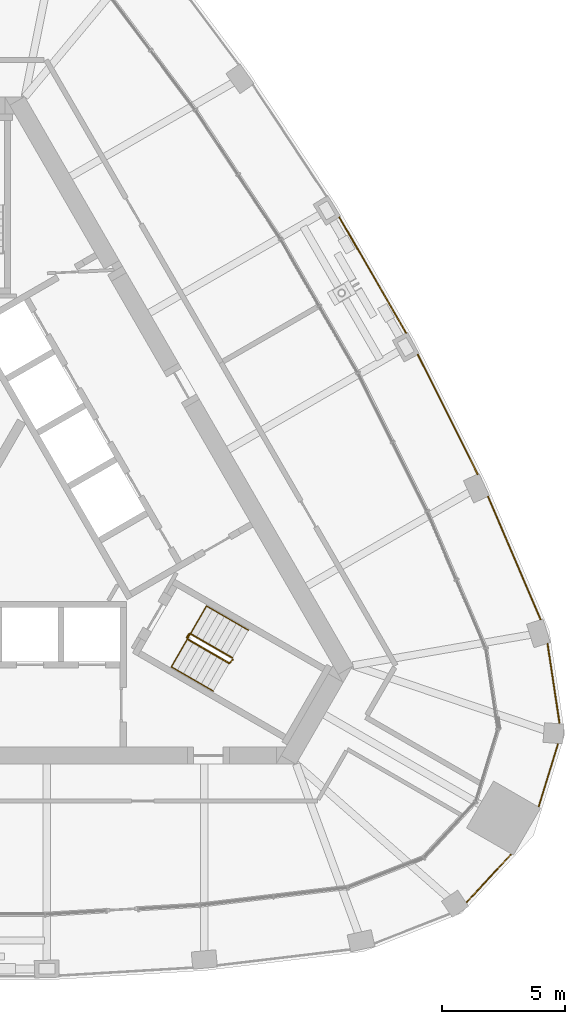
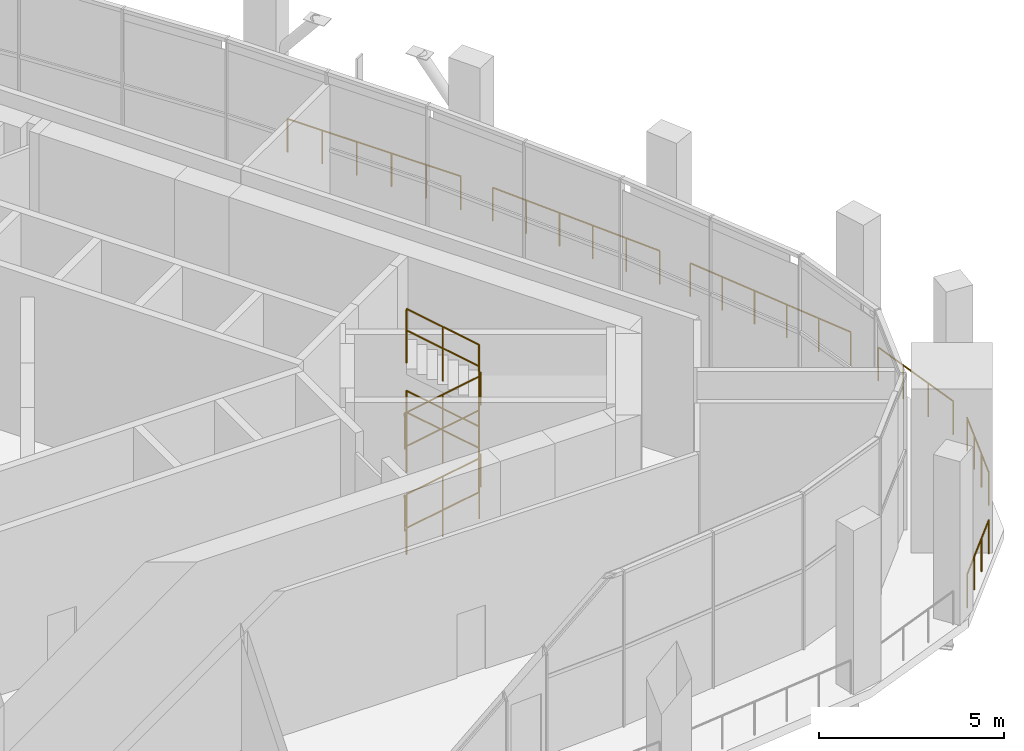
# One storey, part 21 of 23: 12 railings.
"""IFC4 building model written with IfcOpenShell, lengths in metres."""

from ifc_helpers import new_model, si_unit, direction, frame, origin, origin_2d, place, context, subcontext, project, spatial, circle, extrude, material, type_object, element, save


model = new_model("IFC4")

# Units and contexts
model_context = context("Model", 3, precision=1e-05, world=origin(), true_north=direction((0.0, 1.0)))
body_context = subcontext(model_context, "Body", "Model", "MODEL_VIEW")
ifc_project = project(units=[si_unit("LENGTHUNIT", "METRE"), si_unit("AREAUNIT", "SQUARE_METRE"), si_unit("VOLUMEUNIT", "CUBIC_METRE"), si_unit("PLANEANGLEUNIT", "RADIAN"), si_unit("MASSUNIT", "GRAM", prefix="KILO")], contexts=[model_context])

# Site, building, storey
site_placement = place(None, origin())
site = spatial("IfcSite", under=ifc_project, at=site_placement, CompositionType="ELEMENT")
building_placement = place(site_placement, origin())
building = spatial("IfcBuilding", under=site, at=building_placement, Name="Mestral Congress Tower", CompositionType="ELEMENT")
storey_placement = place(building_placement, frame((0.0, 0.0, 261.60009765625)))
storey = spatial("IfcBuildingStorey", under=building, at=storey_placement, Name="L61", CompositionType="ELEMENT", Elevation=261.60009765625)

# Railings
ifc_material_1 = material(Name="Stainless steel", Category="steel")
railing_type_1 = type_object("IfcRailingType", Name="Facade guard 1120 steel and glass", PredefinedType="GUARDRAIL", material=ifc_material_1)
railing_1_placement = place(storey_placement, frame((20.23095703125, -15.944091796875, 0.0)))
element("IfcRailing", 1, at=railing_1_placement, inside=storey, type_object=railing_type_1, Name="Ring deck guard K0-1", PredefinedType="GUARDRAIL", context=body_context, shape_type="SweptSolid", body=[
    extrude(circle(Radius=0.02392578125, at=origin_2d()), frame((0.0, 0.0, 1.09619140625), z_axis=(0.680265696543, 0.732965607725, 0.0), x_axis=(-0.732965607725, 0.680265696543, 0.0)), (0.0, 0.0, 1.0), 2.626708984375),
    extrude(circle(Radius=0.02099609375, at=origin_2d()), origin(), (0.0, 0.0, 1.0), 1.072021484375),
    extrude(circle(Radius=0.02099609375, at=origin_2d()), frame((0.595703125, 0.641845703125, 0.0)), (0.0, 0.0, 1.0), 1.072021484375),
    extrude(circle(Radius=0.02099609375, at=origin_2d()), frame((1.191162109375, 1.283447265625, 0.0)), (0.0, 0.0, 1.0), 1.072021484375),
    extrude(circle(Radius=0.02099609375, at=origin_2d()), frame((1.786865234375, 1.92529296875, 0.0)), (0.0, 0.0, 1.0), 1.072021484375),
])
railing_2_placement = place(storey_placement, frame((23.1494140625, -12.05859375, 0.0)))
element("IfcRailing", 2, at=railing_2_placement, inside=storey, type_object=railing_type_1, Name="Ring deck guard K0-2", PredefinedType="GUARDRAIL", context=body_context, shape_type="SweptSolid", body=[
    extrude(circle(Radius=0.02392578125, at=origin_2d()), frame((0.0, 0.0, 1.09619140625), z_axis=(0.294706210429, 0.9555879078, 0.0), x_axis=(-0.9555879078, 0.294706210429, 0.0)), (0.0, 0.0, 1.0), 2.626953125),
    extrude(circle(Radius=0.02099609375, at=origin_2d()), origin(), (0.0, 0.0, 1.0), 1.072021484375),
    extrude(circle(Radius=0.02099609375, at=origin_2d()), frame((0.258056640625, 0.836669921875, 0.0)), (0.0, 0.0, 1.0), 1.072021484375),
    extrude(circle(Radius=0.02099609375, at=origin_2d()), frame((0.51611328125, 1.673583984375, 0.0)), (0.0, 0.0, 1.0), 1.072021484375),
    extrude(circle(Radius=0.02099609375, at=origin_2d()), frame((0.774169921875, 2.51025390625, 0.0)), (0.0, 0.0, 1.0), 1.072021484375),
])
railing_3_placement = place(storey_placement, frame((23.98828125, -8.681640625, 0.0)))
element("IfcRailing", 3, at=railing_3_placement, inside=storey, type_object=railing_type_1, Name="Ring deck guard K0-3", PredefinedType="GUARDRAIL", context=body_context, shape_type="SweptSolid", body=[
    extrude(circle(Radius=0.02392578125, at=origin_2d()), frame((0.0, 0.0, 1.09619140625), z_axis=(-0.149347311305, 0.988784799947, 0.0), x_axis=(-0.988784799947, -0.149347311305, 0.0)), (0.0, 0.0, 1.0), 3.23681640625),
    extrude(circle(Radius=0.02099609375, at=origin_2d()), origin(), (0.0, 0.0, 1.0), 1.072021484375),
    extrude(circle(Radius=0.02099609375, at=origin_2d()), frame((-0.1611328125, 1.06689453125, 0.0)), (0.0, 0.0, 1.0), 1.072021484375),
    extrude(circle(Radius=0.02099609375, at=origin_2d()), frame((-0.322265625, 2.133544921875, 0.0)), (0.0, 0.0, 1.0), 1.072021484375),
    extrude(circle(Radius=0.02099609375, at=origin_2d()), frame((-0.4833984375, 3.200439453125, 0.0)), (0.0, 0.0, 1.0), 1.072021484375),
])
railing_4_placement = place(storey_placement, frame((23.22021484375, -4.48291015625, 0.0)))
element("IfcRailing", 4, at=railing_4_placement, inside=storey, type_object=railing_type_1, Name="Ring deck guard F1-00", PredefinedType="GUARDRAIL", context=body_context, shape_type="SweptSolid", body=[
    extrude(circle(Radius=0.02392578125, at=origin_2d()), frame((0.0, 0.0, 1.09619140625), z_axis=(-0.39336965333, 0.919380397789, 0.0), x_axis=(-0.919380397789, -0.39336965333, 0.0)), (0.0, 0.0, 1.0), 5.4150390625),
    extrude(circle(Radius=0.02099609375, at=origin_2d()), origin(), (0.0, 0.0, 1.0), 1.072021484375),
    extrude(circle(Radius=0.02099609375, at=origin_2d()), frame((-0.426025390625, 0.99560546875, 0.0)), (0.0, 0.0, 1.0), 1.072021484375),
    extrude(circle(Radius=0.02099609375, at=origin_2d()), frame((-0.85205078125, 1.991455078125, 0.0)), (0.0, 0.0, 1.0), 1.072021484375),
    extrude(circle(Radius=0.02099609375, at=origin_2d()), frame((-1.278076171875, 2.987060546875, 0.0)), (0.0, 0.0, 1.0), 1.072021484375),
    extrude(circle(Radius=0.02099609375, at=origin_2d()), frame((-1.7041015625, 3.98291015625, 0.0)), (0.0, 0.0, 1.0), 1.072021484375),
    extrude(circle(Radius=0.02099609375, at=origin_2d()), frame((-2.130126953125, 4.978515625, 0.0)), (0.0, 0.0, 1.0), 1.072021484375),
])
railing_5_placement = place(storey_placement, frame((20.6650390625, 1.412353515625, 0.0)))
element("IfcRailing", 5, at=railing_5_placement, inside=storey, type_object=railing_type_1, Name="Ring deck guard F1-01", PredefinedType="GUARDRAIL", context=body_context, shape_type="SweptSolid", body=[
    extrude(circle(Radius=0.02392578125, at=origin_2d()), frame((0.0, 0.0, 1.09619140625), z_axis=(-0.447466485607, 0.894300701251, 0.0), x_axis=(-0.894300701251, -0.447466485607, 0.0)), (0.0, 0.0, 1.0), 5.40576171875),
    extrude(circle(Radius=0.02099609375, at=origin_2d()), origin(), (0.0, 0.0, 1.0), 1.072021484375),
    extrude(circle(Radius=0.02099609375, at=origin_2d()), frame((-0.48388671875, 0.966796875, 0.0)), (0.0, 0.0, 1.0), 1.072021484375),
    extrude(circle(Radius=0.02099609375, at=origin_2d()), frame((-0.967529296875, 1.933837890625, 0.0)), (0.0, 0.0, 1.0), 1.072021484375),
    extrude(circle(Radius=0.02099609375, at=origin_2d()), frame((-1.451416015625, 2.900634765625, 0.0)), (0.0, 0.0, 1.0), 1.072021484375),
    extrude(circle(Radius=0.02099609375, at=origin_2d()), frame((-1.93505859375, 3.86767578125, 0.0)), (0.0, 0.0, 1.0), 1.072021484375),
    extrude(circle(Radius=0.02099609375, at=origin_2d()), frame((-2.4189453125, 4.83447265625, 0.0)), (0.0, 0.0, 1.0), 1.072021484375),
])
railing_6_placement = place(storey_placement, frame((17.76708984375, 7.13671875, 0.0)))
element("IfcRailing", 6, at=railing_6_placement, inside=storey, type_object=railing_type_1, Name="Ring deck guard F1-02", PredefinedType="GUARDRAIL", context=body_context, shape_type="SweptSolid", body=[
    extrude(circle(Radius=0.02392578125, at=origin_2d()), frame((0.0, 0.0, 1.09619140625), z_axis=(-0.499990896557, 0.866030659596, 0.0), x_axis=(-0.866030659596, -0.499990896557, 0.0)), (0.0, 0.0, 1.0), 5.40576171875),
    extrude(circle(Radius=0.02099609375, at=origin_2d()), origin(), (0.0, 0.0, 1.0), 1.072021484375),
    extrude(circle(Radius=0.02099609375, at=origin_2d()), frame((-0.54052734375, 0.936279296875, 0.0)), (0.0, 0.0, 1.0), 1.072021484375),
    extrude(circle(Radius=0.02099609375, at=origin_2d()), frame((-1.0810546875, 1.87255859375, 0.0)), (0.0, 0.0, 1.0), 1.072021484375),
    extrude(circle(Radius=0.02099609375, at=origin_2d()), frame((-1.621826171875, 2.80908203125, 0.0)), (0.0, 0.0, 1.0), 1.072021484375),
    extrude(circle(Radius=0.02099609375, at=origin_2d()), frame((-2.162353515625, 3.745361328125, 0.0)), (0.0, 0.0, 1.0), 1.072021484375),
    extrude(circle(Radius=0.02099609375, at=origin_2d()), frame((-2.702880859375, 4.681640625, 0.0)), (0.0, 0.0, 1.0), 1.072021484375),
])
ifc_material_2 = material(Name="Steel balustrade", Category="steel")
railing_type_2 = type_object("IfcRailingType", Name="Stair guard 1100", PredefinedType="GUARDRAIL", material=ifc_material_2)
railing_7_placement = place(storey_placement, frame((8.90087890625, -5.283203125, 0.168701171875)))
element("IfcRailing", 7, at=railing_7_placement, inside=storey, type_object=railing_type_2, Name="L61 ST1 stair guard 1", PredefinedType="GUARDRAIL", context=body_context, shape_type="SweptSolid", body=[
    extrude(circle(Radius=0.02392578125, at=origin_2d()), frame((0.0, 0.0, 1.076171875), z_axis=(0.741771397394, -0.428228158944, 0.516135484049), x_axis=(0.499970440388, 0.866042469362, 0.0)), (0.0, 0.0, 1.0), 2.28857421875),
    extrude(circle(Radius=0.02392578125, at=origin_2d()), frame((1.697509765625, -0.97998046875, 2.25732421875), z_axis=(0.694552208452, 0.71944230466, 0.0), x_axis=(-0.71944230466, 0.694552208452, 0.0)), (0.0, 0.0, 1.0), 0.2060546875),
    extrude(circle(Radius=0.02099609375, at=origin_2d()), origin(), (0.0, 0.0, 1.0), 1.052001953125),
    extrude(circle(Radius=0.02099609375, at=origin_2d()), frame((0.8486328125, -0.489990234375, 0.590576171875)), (0.0, 0.0, 1.0), 1.052001953125),
    extrude(circle(Radius=0.02099609375, at=origin_2d()), frame((1.697509765625, -0.97998046875, 1.18115234375)), (0.0, 0.0, 1.0), 1.052001953125),
    extrude(circle(Radius=0.02099609375, at=origin_2d()), frame((1.840576171875, -0.831787109375, 1.18115234375)), (0.0, 0.0, 1.0), 1.052001953125),
])
railing_8_placement = place(storey_placement, frame((10.723388671875, -6.046630859375, 1.5185546875)))
element("IfcRailing", 8, at=railing_8_placement, inside=storey, type_object=railing_type_2, Name="L61 ST1 stair guard 2", PredefinedType="GUARDRAIL", context=body_context, shape_type="SweptSolid", body=[
    extrude(circle(Radius=0.02392578125, at=origin_2d()), frame((0.0, 0.0, 1.076171875), z_axis=(-0.741730552229, 0.428204578836, 0.516213741153), x_axis=(-0.499970440388, -0.866042469362, 0.0)), (0.0, 0.0, 1.0), 2.28857421875),
    extrude(circle(Radius=0.02392578125, at=origin_2d()), frame((-1.697509765625, 0.97998046875, 2.25732421875), z_axis=(-0.965948051503, -0.258736085224, 0.0), x_axis=(0.258736085224, -0.965948051503, 0.0)), (0.0, 0.0, 1.0), 0.07080078125),
    extrude(circle(Radius=0.02392578125, at=origin_2d()), frame((-1.765869140625, 0.961669921875, 2.25732421875), z_axis=(-0.499816412211, -0.866131372301, 0.0), x_axis=(0.866131372301, -0.499816412211, 0.0)), (0.0, 0.0, 1.0), 0.14990234375),
    extrude(circle(Radius=0.02099609375, at=origin_2d()), origin(), (0.0, 0.0, 1.0), 1.052001953125),
    extrude(circle(Radius=0.02099609375, at=origin_2d()), frame((-0.8486328125, 0.489990234375, 0.5908203125)), (0.0, 0.0, 1.0), 1.052001953125),
    extrude(circle(Radius=0.02099609375, at=origin_2d()), frame((-1.697509765625, 0.97998046875, 1.181396484375)), (0.0, 0.0, 1.0), 1.052001953125),
    extrude(circle(Radius=0.02099609375, at=origin_2d()), frame((-1.765869140625, 0.961669921875, 1.181396484375)), (0.0, 0.0, 1.0), 1.052001953125),
    extrude(circle(Radius=0.02099609375, at=origin_2d()), frame((-1.8408203125, 0.831787109375, 1.181396484375)), (0.0, 0.0, 1.0), 1.052001953125),
])
railing_9_placement = place(storey_placement, frame((8.90087890625, -5.283203125, 2.86865234375)))
element("IfcRailing", 9, at=railing_9_placement, inside=storey, type_object=railing_type_2, Name="L61 ST1 stair guard 3", PredefinedType="GUARDRAIL", context=body_context, shape_type="SweptSolid", body=[
    extrude(circle(Radius=0.02392578125, at=origin_2d()), frame((0.0, 0.0, 1.076171875), z_axis=(0.741771397394, -0.428228158944, 0.516135484049), x_axis=(0.499970440388, 0.866042469362, 0.0)), (0.0, 0.0, 1.0), 2.28857421875),
    extrude(circle(Radius=0.02392578125, at=origin_2d()), frame((1.697509765625, -0.97998046875, 2.25732421875), z_axis=(0.694552208452, 0.71944230466, 0.0), x_axis=(-0.71944230466, 0.694552208452, 0.0)), (0.0, 0.0, 1.0), 0.2060546875),
    extrude(circle(Radius=0.02099609375, at=origin_2d()), origin(), (0.0, 0.0, 1.0), 1.052001953125),
    extrude(circle(Radius=0.02099609375, at=origin_2d()), frame((0.8486328125, -0.489990234375, 0.590576171875)), (0.0, 0.0, 1.0), 1.052001953125),
    extrude(circle(Radius=0.02099609375, at=origin_2d()), frame((1.697509765625, -0.97998046875, 1.18115234375)), (0.0, 0.0, 1.0), 1.052001953125),
    extrude(circle(Radius=0.02099609375, at=origin_2d()), frame((1.840576171875, -0.831787109375, 1.18115234375)), (0.0, 0.0, 1.0), 1.052001953125),
])
railing_10_placement = place(storey_placement, frame((10.723388671875, -6.046630859375, 4.21875)))
element("IfcRailing", 10, at=railing_10_placement, inside=storey, type_object=railing_type_2, Name="L61 ST1 stair guard 4", PredefinedType="GUARDRAIL", context=body_context, shape_type="SweptSolid", body=[
    extrude(circle(Radius=0.02392578125, at=origin_2d()), frame((0.0, 0.0, 1.076171875), z_axis=(-0.741771397394, 0.428228158944, 0.516135484049), x_axis=(-0.499970440388, -0.866042469362, 0.0)), (0.0, 0.0, 1.0), 2.28857421875),
    extrude(circle(Radius=0.02099609375, at=origin_2d()), origin(), (0.0, 0.0, 1.0), 1.052001953125),
    extrude(circle(Radius=0.02099609375, at=origin_2d()), frame((-0.8486328125, 0.489990234375, 0.590576171875)), (0.0, 0.0, 1.0), 1.052001953125),
    extrude(circle(Radius=0.02099609375, at=origin_2d()), frame((-1.697509765625, 0.97998046875, 1.18115234375)), (0.0, 0.0, 1.0), 1.052001953125),
])
railing_11_placement = place(storey_placement, frame((8.882568359375, -5.21484375, 0.0)))
element("IfcRailing", 11, at=railing_11_placement, inside=storey, type_object=railing_type_2, Name="L61 ST1 stair guard 5", PredefinedType="GUARDRAIL", context=body_context, shape_type="SweptSolid", body=[
    extrude(circle(Radius=0.02392578125, at=origin_2d()), frame((0.0, 0.0, 1.076171875), z_axis=(0.499816412211, 0.866131372301, 0.0), x_axis=(-0.866131372301, 0.499816412211, 0.0)), (0.0, 0.0, 1.0), 0.14990234375),
    extrude(circle(Radius=0.02099609375, at=origin_2d()), origin(), (0.0, 0.0, 1.0), 1.052001953125),
    extrude(circle(Radius=0.02099609375, at=origin_2d()), frame((0.074951171875, 0.1298828125, 0.0)), (0.0, 0.0, 1.0), 1.052001953125),
])
ifc_material_3 = material(Name="Steel handrail", Category="steel")
railing_type_3 = type_object("IfcRailingType", Name="Stair handrail 900", PredefinedType="HANDRAIL", material=ifc_material_3)
railing_12_placement = place(storey_placement, frame((8.2509765625, -6.4091796875, 0.168701171875)))
element("IfcRailing", 12, at=railing_12_placement, inside=storey, type_object=railing_type_3, Name="L61 ST1 stair handrail 1", PredefinedType="HANDRAIL", context=body_context, shape_type="SweptSolid", body=[
    extrude(circle(Radius=0.02392578125, at=origin_2d()), frame((0.0, 0.0, 0.8759765625), z_axis=(0.74172340804, -0.428262048313, 0.516176330279), x_axis=(0.500024377727, 0.866011328839, 0.0)), (0.0, 0.0, 1.0), 2.288330078125),
    extrude(circle(Radius=0.02392578125, at=origin_2d()), frame((1.697265625, -0.97998046875, 2.05712890625), z_axis=(0.0, 0.0, 1.0), x_axis=(1.0, 0.0, 0.0)), (0.0, 0.0, 1.0), 2.699951171875),
    extrude(circle(Radius=0.02392578125, at=origin_2d()), frame((1.697265625, -0.97998046875, 4.7568359375), z_axis=(-0.74172340804, 0.428262048313, -0.516176330279), x_axis=(-0.500024377727, -0.866011328839, 0.0)), (0.0, 0.0, 1.0), 2.288330078125),
    extrude(circle(Radius=0.02392578125, at=origin_2d()), frame((0.0, 0.0, 3.57568359375), z_axis=(0.499061461536, 0.86454958467, -0.059090382098), x_axis=(-0.866062911188, 0.499935029643, 0.0)), (0.0, 0.0, 1.0), 2.85498046875),
    extrude(circle(Radius=0.02392578125, at=origin_2d()), frame((1.4248046875, 2.46826171875, 3.4072265625), z_axis=(0.741730552229, -0.428204578836, -0.516213741153), x_axis=(0.499970440388, 0.866042469362, 0.0)), (0.0, 0.0, 1.0), 2.28857421875),
    extrude(circle(Radius=0.02392578125, at=origin_2d()), frame((3.122314453125, 1.48828125, 2.2255859375), z_axis=(0.0, 0.0, 1.0), x_axis=(1.0, 0.0, 0.0)), (0.0, 0.0, 1.0), 2.7001953125),
    extrude(circle(Radius=0.02392578125, at=origin_2d()), frame((3.122314453125, 1.48828125, 4.92578125), z_axis=(-0.741771397394, 0.428228158944, 0.516135484049), x_axis=(-0.499970440388, -0.866042469362, 0.0)), (0.0, 0.0, 1.0), 2.28857421875),
    extrude(circle(Radius=0.02099609375, at=origin_2d()), origin(), (0.0, 0.0, 1.0), 0.851806640625),
    extrude(circle(Radius=0.02099609375, at=origin_2d()), frame((0.8486328125, -0.489990234375, 0.590576171875)), (0.0, 0.0, 1.0), 0.851806640625),
    extrude(circle(Radius=0.02099609375, at=origin_2d()), frame((1.697265625, -0.97998046875, 1.18115234375)), (0.0, 0.0, 1.0), 0.851806640625),
    extrude(circle(Radius=0.02099609375, at=origin_2d()), frame((1.697265625, -0.97998046875, 2.0810546875)), (0.0, 0.0, 1.0), 0.851806640625),
    extrude(circle(Radius=0.02099609375, at=origin_2d()), frame((1.697265625, -0.97998046875, 2.981201171875)), (0.0, 0.0, 1.0), 0.851806640625),
    extrude(circle(Radius=0.02099609375, at=origin_2d()), frame((1.697265625, -0.97998046875, 3.881103515625)), (0.0, 0.0, 1.0), 0.851806640625),
    extrude(circle(Radius=0.02099609375, at=origin_2d()), frame((0.8486328125, -0.489990234375, 3.29052734375)), (0.0, 0.0, 1.0), 0.851806640625),
    extrude(circle(Radius=0.02099609375, at=origin_2d()), frame((0.0, 0.0, 2.699951171875)), (0.0, 0.0, 1.0), 0.851806640625),
    extrude(circle(Radius=0.02099609375, at=origin_2d()), frame((0.474853515625, 0.82275390625, 2.643798828125)), (0.0, 0.0, 1.0), 0.851806640625),
    extrude(circle(Radius=0.02099609375, at=origin_2d()), frame((0.949951171875, 1.6455078125, 2.58740234375)), (0.0, 0.0, 1.0), 0.851806640625),
    extrude(circle(Radius=0.02099609375, at=origin_2d()), frame((1.4248046875, 2.46826171875, 2.53125)), (0.0, 0.0, 1.0), 0.851806640625),
    extrude(circle(Radius=0.02099609375, at=origin_2d()), frame((2.2734375, 1.978271484375, 1.9404296875)), (0.0, 0.0, 1.0), 0.851806640625),
    extrude(circle(Radius=0.02099609375, at=origin_2d()), frame((3.122314453125, 1.48828125, 1.349853515625)), (0.0, 0.0, 1.0), 0.851806640625),
    extrude(circle(Radius=0.02099609375, at=origin_2d()), frame((3.122314453125, 1.48828125, 2.25)), (0.0, 0.0, 1.0), 0.851806640625),
    extrude(circle(Radius=0.02099609375, at=origin_2d()), frame((3.122314453125, 1.48828125, 3.14990234375)), (0.0, 0.0, 1.0), 0.851806640625),
    extrude(circle(Radius=0.02099609375, at=origin_2d()), frame((3.122314453125, 1.48828125, 4.050048828125)), (0.0, 0.0, 1.0), 0.851806640625),
    extrude(circle(Radius=0.02099609375, at=origin_2d()), frame((2.2734375, 1.978271484375, 4.640625)), (0.0, 0.0, 1.0), 0.851806640625),
    extrude(circle(Radius=0.02099609375, at=origin_2d()), frame((1.4248046875, 2.46826171875, 5.231201171875)), (0.0, 0.0, 1.0), 0.851806640625),
])

save(model, "model.ifc")
